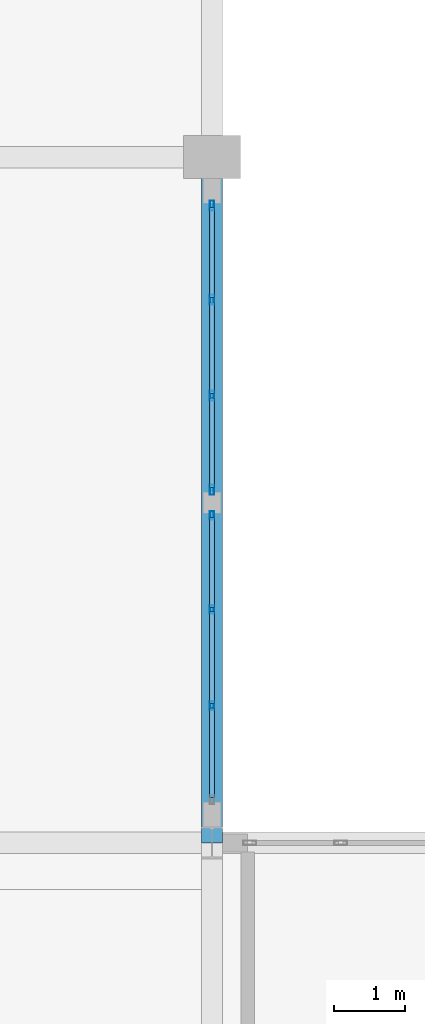
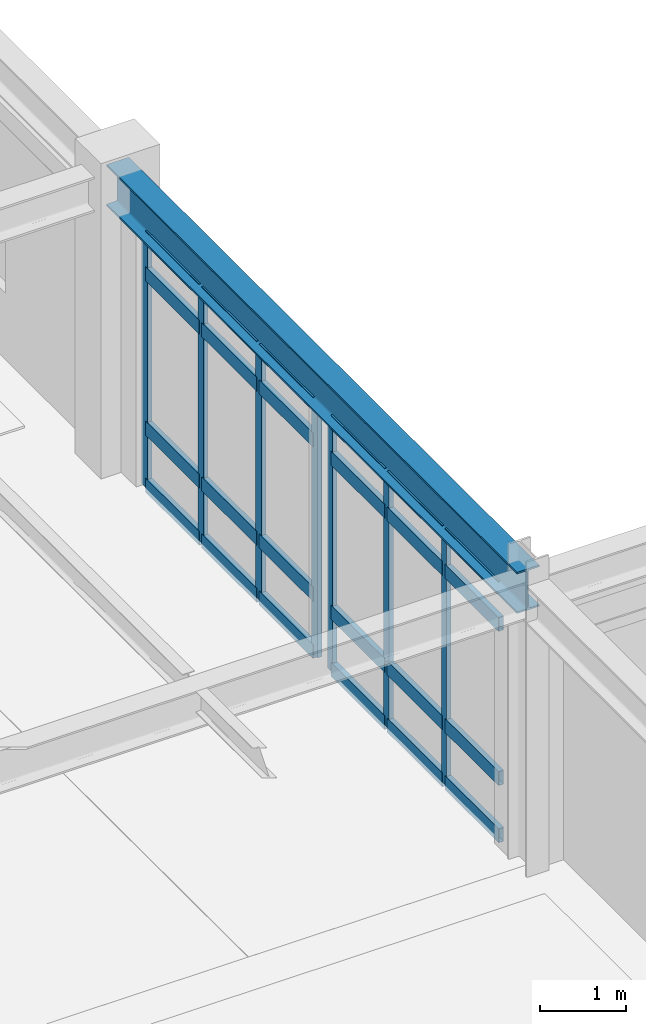
# One storey, part 30 of 61: 31 members, 1 beam, 2 elements without a shape of their own.
"""IFC4 building model written with IfcOpenShell, lengths in metres."""

import ifcopenshell
import ifcopenshell.guid

model = None  # the IFC model being written
_history = None  # IfcOwnerHistory: only IFC2X3 demands one
_inside = {}  # id of a spatial element -> (the spatial element, [elements in it])
_under = {}  # id of a project, library or spatial element -> (it, [spatial elements below it])
_declared = {}  # id of a project -> (the project, [libraries it declares])
_typed = {}  # id of a type object -> (the type object, [elements of that type])
_made_of = {}  # id of a material, layer set ... -> (it, [elements and type objects made of it])


def new_model(schema):
    """Start an empty IFC model of exactly this schema.

    Asked for "IFC4X3", IfcOpenShell would pick the latest addendum, in which some entities
    have other attributes; the version numbers below select the first issue.
    IFC2X3 requires an IfcOwnerHistory on every rooted entity: one is made here for all.
    """
    global model, _history
    if schema == "IFC4X3":
        model = ifcopenshell.file(schema_version=(4, 3, 0, 0))
    else:
        model = ifcopenshell.file(schema=schema)
    _inside.clear()
    _under.clear()
    _declared.clear()
    _typed.clear()
    _made_of.clear()
    _history = None
    if model.schema == "IFC2X3":
        org = make("IfcOrganization", Name="unknown")
        user = make(
            "IfcPersonAndOrganization",
            ThePerson=make("IfcPerson", FamilyName="unknown"),
            TheOrganization=org,
        )
        app = make(
            "IfcApplication",
            ApplicationDeveloper=org,
            Version="unknown",
            ApplicationFullName="unknown",
            ApplicationIdentifier="unknown",
        )
        _history = make(
            "IfcOwnerHistory",
            OwningUser=user,
            OwningApplication=app,
            ChangeAction="ADDED",
            CreationDate=0,
        )
    return model


def make(cls, **values):
    """One entity of the class cls with the attributes given. An attribute that is None is left unset."""
    return model.create_entity(
        cls, **{name: value for name, value in values.items() if value is not None}
    )


def rooted(cls, **values):
    """An entity with a GlobalId (a new one), such as an element, a storey or a relation."""
    return make(cls, GlobalId=ifcopenshell.guid.new(), OwnerHistory=_history, **values)


def si_unit(unit_type, name, prefix=None):
    """IfcSIUnit, for example si_unit("LENGTHUNIT", "METRE", prefix="MILLI")."""
    return make("IfcSIUnit", UnitType=unit_type, Prefix=prefix, Name=name)


def assignment(units):
    """IfcUnitAssignment: the units of a project."""
    return None if units is None else make("IfcUnitAssignment", Units=units)


def point(xyz):
    """IfcCartesianPoint."""
    return None if xyz is None else make("IfcCartesianPoint", Coordinates=xyz)


def direction(xyz):
    """IfcDirection."""
    return None if xyz is None else make("IfcDirection", DirectionRatios=xyz)


def frame(location, z_axis=None, x_axis=None):
    """IfcAxis2Placement3D, a coordinate frame: its origin and axes. An axis left out is left unset."""
    return make(
        "IfcAxis2Placement3D",
        Location=point(location),
        Axis=direction(z_axis),
        RefDirection=direction(x_axis),
    )


def frame_2d(location, x_axis=None):
    """IfcAxis2Placement2D, a coordinate frame in the plane: its origin and x axis."""
    return make(
        "IfcAxis2Placement2D", Location=point(location), RefDirection=direction(x_axis)
    )


def origin():
    """The frame at (0, 0, 0) with its axes left unset."""
    return frame((0.0, 0.0, 0.0))


def origin_2d():
    """The frame at (0, 0) in the plane with its x axis left unset."""
    return frame_2d((0.0, 0.0))


def place(relative_to, where):
    """IfcLocalPlacement: puts the frame where relative to a parent placement (None: the world)."""
    return make(
        "IfcLocalPlacement", PlacementRelTo=relative_to, RelativePlacement=where
    )


def context(
    kind, dimensions, precision=None, world=None, true_north=None, identifier=None
):
    """IfcGeometricRepresentationContext, for example the 3D "Model" context."""
    return make(
        "IfcGeometricRepresentationContext",
        ContextIdentifier=identifier,
        ContextType=kind,
        CoordinateSpaceDimension=dimensions,
        Precision=precision,
        WorldCoordinateSystem=world,
        TrueNorth=true_north,
    )


def subcontext(parent, identifier, kind, view, scale=None):
    """IfcGeometricRepresentationSubContext, for example "Body" below "Model"."""
    return make(
        "IfcGeometricRepresentationSubContext",
        ContextIdentifier=identifier,
        ContextType=kind,
        ParentContext=parent,
        TargetScale=scale,
        TargetView=view,
    )


def project(units=None, contexts=None):
    """IfcProject with its units and contexts."""
    return rooted(
        "IfcProject",
        Name="project",
        RepresentationContexts=contexts,
        UnitsInContext=assignment(units),
    )


def spatial(cls, under=None, at=None, **own):
    """A site, building, storey or space (cls), placed at a placement, below another one or the project."""
    s = rooted(cls, ObjectPlacement=at, **own)
    if under is not None:
        _under.setdefault(under.id(), (under, []))[1].append(s)
    return s


def profile(cls, at=None, kind="AREA", **sizes):
    """A parametric profile (cls). Its sizes go by their IFC names, for example OverallWidth=200.0."""
    return make(cls, ProfileType=kind, Position=at, **sizes)


def hollow_rectangle(**sizes):
    """IfcRectangleHollowProfileDef."""
    return profile("IfcRectangleHollowProfileDef", **sizes)


def i_section(**sizes):
    """IfcIShapeProfileDef."""
    return profile("IfcIShapeProfileDef", **sizes)


def extrude(swept, where, along, depth):
    """IfcExtrudedAreaSolid: the profile swept, set in the frame where, extruded along a direction by depth."""
    return make(
        "IfcExtrudedAreaSolid",
        SweptArea=swept,
        Position=where,
        ExtrudedDirection=direction(along),
        Depth=depth,
    )


def shape(context_of_items, identifier, shape_type, items):
    """IfcShapeRepresentation: the items that make up one representation, for example the "Body"."""
    return make(
        "IfcShapeRepresentation",
        ContextOfItems=context_of_items,
        RepresentationIdentifier=identifier,
        RepresentationType=shape_type,
        Items=items,
    )


def material(Name=None, Category=None):
    """IfcMaterial."""
    return make("IfcMaterial", Name=Name, Category=Category)


def layer(
    of_material, thickness, ventilated=None, Name=None, Category=None, Priority=None
):
    """IfcMaterialLayer: one layer of a wall or slab, of a material (None: an air gap)."""
    return make(
        "IfcMaterialLayer",
        Material=of_material,
        LayerThickness=thickness,
        IsVentilated=ventilated,
        Name=Name,
        Category=Category,
        Priority=Priority,
    )


def layer_set(layers, Name=None):
    """IfcMaterialLayerSet."""
    return make("IfcMaterialLayerSet", MaterialLayers=layers, LayerSetName=Name)


def material_profile(
    of_material, cross_section, Name=None, Category=None, Priority=None
):
    """IfcMaterialProfile: a cross section and its material."""
    return make(
        "IfcMaterialProfile",
        Name=Name,
        Material=of_material,
        Profile=cross_section,
        Priority=Priority,
        Category=Category,
    )


def profile_set(profiles, Name=None, composite=None):
    """IfcMaterialProfileSet."""
    return make(
        "IfcMaterialProfileSet",
        Name=Name,
        MaterialProfiles=profiles,
        CompositeProfile=composite,
    )


def made_of(thing, what):
    """Note that an element or type object is made of a material, layer set ...; save() writes the relation."""
    if what is not None:
        _made_of.setdefault(what.id(), (what, []))[1].append(thing)
    return thing


def type_object(cls, material=None, **own):
    """A type object (cls), such as IfcWallType, which elements share."""
    return made_of(rooted(cls, **own), material)


def element(
    cls,
    number,
    at=None,
    inside=None,
    cuts=None,
    type_object=None,
    material=None,
    context=None,
    identifier="Body",
    shape_type=None,
    held_by="IfcProductDefinitionShape",
    body=None,
    shapes=None,
    **own,
):
    """One element of the class cls, such as IfcWall. Its Tag is "e" and its number.

    at: its placement. inside: the storey or other place that contains it. cuts: it is an
    opening in that element (IfcRelVoidsElement). A single representation is given by context,
    identifier, shape_type and body (its items); several are given by shapes. held_by: the class
    of the entity that holds the representations. save() writes the other relations.
    """
    e = rooted(cls, Tag="e%d" % number, ObjectPlacement=at, **own)
    if body is not None:
        shapes = [shape(context, identifier, shape_type, body)]
    if shapes is not None:
        e.Representation = make(held_by, Representations=shapes)
    if inside is not None:
        _inside.setdefault(inside.id(), (inside, []))[1].append(e)
    if cuts is not None:
        rooted(
            "IfcRelVoidsElement", RelatingBuildingElement=cuts, RelatedOpeningElement=e
        )
    if type_object is not None:
        _typed.setdefault(type_object.id(), (type_object, []))[1].append(e)
    return made_of(e, material)


def aggregate(whole, parts):
    """IfcRelAggregates: a whole, such as a stair, and the parts it consists of."""
    return rooted("IfcRelAggregates", RelatingObject=whole, RelatedObjects=parts)


def save(model, path):
    """Write the relations noted so far, then the file.

    IfcRelAggregates (storeys below a building ...), IfcRelContainedInSpatialStructure (elements
    in a storey), IfcRelDefinesByType, IfcRelAssociatesMaterial and IfcRelDeclares: one each for
    every whole, place, type object, material and project.
    """
    for whole, parts in _under.values():
        aggregate(whole, parts)
    for where, things in _inside.values():
        rooted(
            "IfcRelContainedInSpatialStructure",
            RelatedElements=things,
            RelatingStructure=where,
        )
    for kind, things in _typed.values():
        rooted("IfcRelDefinesByType", RelatedObjects=things, RelatingType=kind)
    for what, things in _made_of.values():
        rooted("IfcRelAssociatesMaterial", RelatedObjects=things, RelatingMaterial=what)
    for by, libraries in _declared.values():
        rooted("IfcRelDeclares", RelatingContext=by, RelatedDefinitions=libraries)
    model.write(path)


model = new_model("IFC4")

# Units and contexts
model_context = context("Model", 3, precision=1e-05, world=origin(), true_north=direction((0.0, 1.0)))
body_context = subcontext(model_context, "Body", "Model", "MODEL_VIEW")
ifc_project = project(units=[si_unit("LENGTHUNIT", "METRE"), si_unit("AREAUNIT", "SQUARE_METRE"), si_unit("VOLUMEUNIT", "CUBIC_METRE"), si_unit("PLANEANGLEUNIT", "RADIAN"), si_unit("MASSUNIT", "GRAM", prefix="KILO")], contexts=[model_context])

# Site, building, storey
site_placement = place(None, origin())
site = spatial("IfcSite", under=ifc_project, at=site_placement, CompositionType="ELEMENT")
building_placement = place(site_placement, origin())
building = spatial("IfcBuilding", under=site, at=building_placement, Name="Fikremerkos Civic Library", CompositionType="ELEMENT")
storey_placement = place(building_placement, frame((0.0, 0.0, 14.39990234375)))
storey = spatial("IfcBuildingStorey", under=building, at=storey_placement, Name="L03", CompositionType="ELEMENT", Elevation=14.39990234375)

# Curtain wall, members
ifc_material_1 = material(Name="Anodized aluminium Frame", Category="aluminium")
ifc_layer_1 = layer(ifc_material_1, 0.159912109375, Name="Anodized aluminium Frame")
ifc_layer_set_1 = layer_set([ifc_layer_1], Name="Anodized aluminium Frame")
curtain_wall_type_1 = type_object("IfcCurtainWallType", Name="Unitised curtain wall CW-07 3500x4100", PredefinedType="USERDEFINED", material=ifc_layer_set_1)
curtain_wall_1_placement = place(storey_placement, origin())
curtain_wall_1 = element("IfcCurtainWall", 1, at=curtain_wall_1_placement, inside=storey, type_object=curtain_wall_type_1, Name="Unitised curtain wall CW-07 L03 #205", ObjectType="UNITISED CURTAIN WALL", PredefinedType="USERDEFINED")
ifc_material_profile_1 = material_profile(ifc_material_1, hollow_rectangle(XDim=0.06005859375, YDim=0.139892578125, WallThickness=0.00390625, at=origin_2d()), Name="ALU 140x60x4")
ifc_profile_set_1 = profile_set([ifc_material_profile_1], Name="Anodized aluminium Frame")
member_type_1 = type_object("IfcMemberType", Name="Curtain mullion CWM-03 ALU 140x60x4", PredefinedType="MULLION", material=ifc_profile_set_1)
member_1_placement = place(storey_placement, frame((100.199951171875, 40.1220703125, 0.0), z_axis=(0.0, 0.0, 1.0), x_axis=(1.0, 0.0, 0.0)))
member_1 = element("IfcMember", 2, at=member_1_placement, type_object=member_type_1, Name="CW-07 mullion 1", PredefinedType="MULLION", context=body_context, shape_type="SweptSolid", body=[
    extrude(hollow_rectangle(XDim=0.06005859375, YDim=0.139892578125, WallThickness=0.00390625, at=origin_2d()), origin(), (0.0, 0.0, 1.0), 3.60009765625),
])
member_2_placement = place(storey_placement, frame((100.199951171875, 38.805419921875, 0.0), z_axis=(0.0, 0.0, 1.0), x_axis=(1.0, 0.0, 0.0)))
member_2 = element("IfcMember", 3, at=member_2_placement, type_object=member_type_1, Name="CW-07 mullion 2", PredefinedType="MULLION", context=body_context, shape_type="SweptSolid", body=[
    extrude(hollow_rectangle(XDim=0.06005859375, YDim=0.139892578125, WallThickness=0.00390625, at=origin_2d()), origin(), (0.0, 0.0, 1.0), 3.60009765625),
])
member_3_placement = place(storey_placement, frame((100.199951171875, 37.458984375, 0.0), z_axis=(0.0, 0.0, 1.0), x_axis=(1.0, 0.0, 0.0)))
member_3 = element("IfcMember", 4, at=member_3_placement, type_object=member_type_1, Name="CW-07 mullion 3", PredefinedType="MULLION", context=body_context, shape_type="SweptSolid", body=[
    extrude(hollow_rectangle(XDim=0.06005859375, YDim=0.139892578125, WallThickness=0.00390625, at=origin_2d()), origin(), (0.0, 0.0, 1.0), 3.60009765625),
])
member_4_placement = place(storey_placement, frame((100.199951171875, 36.142578125, 0.0), z_axis=(0.0, 0.0, 1.0), x_axis=(1.0, 0.0, 0.0)))
member_4 = element("IfcMember", 5, at=member_4_placement, type_object=member_type_1, Name="CW-07 mullion 4", PredefinedType="MULLION", context=body_context, shape_type="SweptSolid", body=[
    extrude(hollow_rectangle(XDim=0.06005859375, YDim=0.139892578125, WallThickness=0.00390625, at=origin_2d()), origin(), (0.0, 0.0, 1.0), 3.60009765625),
])

ifc_layer_2 = layer(ifc_material_1, 0.159912109375, Name="Anodized aluminium Frame")
ifc_layer_set_2 = layer_set([ifc_layer_2], Name="Anodized aluminium Frame")
curtain_wall_type_2 = type_object("IfcCurtainWallType", Name="Unitised curtain wall CW-08 4500x4100", PredefinedType="USERDEFINED", material=ifc_layer_set_2)
curtain_wall_2_placement = place(storey_placement, origin())
curtain_wall_2 = element("IfcCurtainWall", 6, at=curtain_wall_2_placement, inside=storey, type_object=curtain_wall_type_2, Name="Unitised curtain wall CW-08 L03 #206", ObjectType="UNITISED CURTAIN WALL", PredefinedType="USERDEFINED")
ifc_material_profile_2 = material_profile(ifc_material_1, hollow_rectangle(XDim=0.06005859375, YDim=0.1201171875, WallThickness=0.00390625, at=origin_2d()), Name="ALU 120x60x4")
ifc_profile_set_2 = profile_set([ifc_material_profile_2], Name="Anodized aluminium Frame")
member_type_2 = type_object("IfcMemberType", Name="Curtain mullion CWM-04 ALU 120x60x4", PredefinedType="MULLION", material=ifc_profile_set_2)
member_5_placement = place(storey_placement, frame((100.199951171875, 35.782470703125, 0.0), z_axis=(0.0, 0.0, 1.0), x_axis=(1.0, 0.0, 0.0)))
member_5 = element("IfcMember", 7, at=member_5_placement, type_object=member_type_2, Name="CW-08 mullion 1", PredefinedType="MULLION", context=body_context, shape_type="SweptSolid", body=[
    extrude(hollow_rectangle(XDim=0.06005859375, YDim=0.1201171875, WallThickness=0.00390625, at=origin_2d()), origin(), (0.0, 0.0, 1.0), 3.60009765625),
])
member_6_placement = place(storey_placement, frame((100.199951171875, 34.466064453125, 0.0), z_axis=(0.0, 0.0, 1.0), x_axis=(1.0, 0.0, 0.0)))
member_6 = element("IfcMember", 8, at=member_6_placement, type_object=member_type_2, Name="CW-08 mullion 2", PredefinedType="MULLION", context=body_context, shape_type="SweptSolid", body=[
    extrude(hollow_rectangle(XDim=0.06005859375, YDim=0.1201171875, WallThickness=0.00390625, at=origin_2d()), origin(), (0.0, 0.0, 1.0), 3.60009765625),
])
member_7_placement = place(storey_placement, frame((100.199951171875, 33.119384765625, 0.0), z_axis=(0.0, 0.0, 1.0), x_axis=(1.0, 0.0, 0.0)))
member_7 = element("IfcMember", 9, at=member_7_placement, type_object=member_type_2, Name="CW-08 mullion 3", PredefinedType="MULLION", context=body_context, shape_type="SweptSolid", body=[
    extrude(hollow_rectangle(XDim=0.06005859375, YDim=0.1201171875, WallThickness=0.00390625, at=origin_2d()), origin(), (0.0, 0.0, 1.0), 3.60009765625),
])

# Member
ifc_material_profile_3 = material_profile(ifc_material_1, hollow_rectangle(XDim=0.070068359375, YDim=0.199951171875, WallThickness=0.0048828125, at=origin_2d()), Name="ALU 200x70x5")
ifc_profile_set_3 = profile_set([ifc_material_profile_3], Name="Anodized aluminium Frame")
member_type_3 = type_object("IfcMemberType", Name="Curtain transom CWT-04 ALU 200x70x5", PredefinedType="USERDEFINED", material=ifc_profile_set_3)
member_8_placement = place(storey_placement, frame((100.199951171875, 40.092041015625, 0.03515625), z_axis=(0.0, -1.0, 0.0), x_axis=(1.0, 0.0, 0.0)))
member_8 = element("IfcMember", 10, at=member_8_placement, type_object=member_type_3, Name="CW-07 transom 1.1", ObjectType="TRANSOM", PredefinedType="USERDEFINED", context=body_context, shape_type="SweptSolid", body=[
    extrude(hollow_rectangle(XDim=0.070068359375, YDim=0.199951171875, WallThickness=0.0048828125, at=origin_2d()), origin(), (0.0, 0.0, 1.0), 1.256591796875),
])

member_9_placement = place(storey_placement, frame((100.199951171875, 40.092041015625, 0.85009765625), z_axis=(0.0, -1.0, 0.0), x_axis=(1.0, 0.0, 0.0)))
member_9 = element("IfcMember", 11, at=member_9_placement, type_object=member_type_3, Name="CW-07 transom 1.2", ObjectType="TRANSOM", PredefinedType="USERDEFINED", context=body_context, shape_type="SweptSolid", body=[
    extrude(hollow_rectangle(XDim=0.070068359375, YDim=0.199951171875, WallThickness=0.0048828125, at=origin_2d()), origin(), (0.0, 0.0, 1.0), 1.256591796875),
])

member_10_placement = place(storey_placement, frame((100.199951171875, 40.092041015625, 3.050048828125), z_axis=(0.0, -1.0, 0.0), x_axis=(1.0, 0.0, 0.0)))
member_10 = element("IfcMember", 12, at=member_10_placement, type_object=member_type_3, Name="CW-07 transom 1.3", ObjectType="TRANSOM", PredefinedType="USERDEFINED", context=body_context, shape_type="SweptSolid", body=[
    extrude(hollow_rectangle(XDim=0.070068359375, YDim=0.199951171875, WallThickness=0.0048828125, at=origin_2d()), origin(), (0.0, 0.0, 1.0), 1.256591796875),
])

member_11_placement = place(storey_placement, frame((100.199951171875, 40.092041015625, 3.565185546875), z_axis=(0.0, -1.0, 0.0), x_axis=(1.0, 0.0, 0.0)))
member_11 = element("IfcMember", 13, at=member_11_placement, type_object=member_type_3, Name="CW-07 transom 1.4", ObjectType="TRANSOM", PredefinedType="USERDEFINED", context=body_context, shape_type="SweptSolid", body=[
    extrude(hollow_rectangle(XDim=0.070068359375, YDim=0.199951171875, WallThickness=0.0048828125, at=origin_2d()), origin(), (0.0, 0.0, 1.0), 1.256591796875),
])

member_12_placement = place(storey_placement, frame((100.199951171875, 38.775390625, 0.03515625), z_axis=(0.0, -1.0, 0.0), x_axis=(1.0, 0.0, 0.0)))
member_12 = element("IfcMember", 14, at=member_12_placement, type_object=member_type_3, Name="CW-07 transom 2.1", ObjectType="TRANSOM", PredefinedType="USERDEFINED", context=body_context, shape_type="SweptSolid", body=[
    extrude(hollow_rectangle(XDim=0.070068359375, YDim=0.199951171875, WallThickness=0.0048828125, at=origin_2d()), origin(), (0.0, 0.0, 1.0), 1.286376953125),
])

member_13_placement = place(storey_placement, frame((100.199951171875, 38.775390625, 0.85009765625), z_axis=(0.0, -1.0, 0.0), x_axis=(1.0, 0.0, 0.0)))
member_13 = element("IfcMember", 15, at=member_13_placement, type_object=member_type_3, Name="CW-07 transom 2.2", ObjectType="TRANSOM", PredefinedType="USERDEFINED", context=body_context, shape_type="SweptSolid", body=[
    extrude(hollow_rectangle(XDim=0.070068359375, YDim=0.199951171875, WallThickness=0.0048828125, at=origin_2d()), origin(), (0.0, 0.0, 1.0), 1.286376953125),
])

member_14_placement = place(storey_placement, frame((100.199951171875, 38.775390625, 3.050048828125), z_axis=(0.0, -1.0, 0.0), x_axis=(1.0, 0.0, 0.0)))
member_14 = element("IfcMember", 16, at=member_14_placement, type_object=member_type_3, Name="CW-07 transom 2.3", ObjectType="TRANSOM", PredefinedType="USERDEFINED", context=body_context, shape_type="SweptSolid", body=[
    extrude(hollow_rectangle(XDim=0.070068359375, YDim=0.199951171875, WallThickness=0.0048828125, at=origin_2d()), origin(), (0.0, 0.0, 1.0), 1.286376953125),
])

member_15_placement = place(storey_placement, frame((100.199951171875, 38.775390625, 3.565185546875), z_axis=(0.0, -1.0, 0.0), x_axis=(1.0, 0.0, 0.0)))
member_15 = element("IfcMember", 17, at=member_15_placement, type_object=member_type_3, Name="CW-07 transom 2.4", ObjectType="TRANSOM", PredefinedType="USERDEFINED", context=body_context, shape_type="SweptSolid", body=[
    extrude(hollow_rectangle(XDim=0.070068359375, YDim=0.199951171875, WallThickness=0.0048828125, at=origin_2d()), origin(), (0.0, 0.0, 1.0), 1.286376953125),
])

member_16_placement = place(storey_placement, frame((100.199951171875, 37.428955078125, 0.03515625), z_axis=(0.0, -1.0, 0.0), x_axis=(1.0, 0.0, 0.0)))
member_16 = element("IfcMember", 18, at=member_16_placement, type_object=member_type_3, Name="CW-07 transom 3.1", ObjectType="TRANSOM", PredefinedType="USERDEFINED", context=body_context, shape_type="SweptSolid", body=[
    extrude(hollow_rectangle(XDim=0.070068359375, YDim=0.199951171875, WallThickness=0.0048828125, at=origin_2d()), origin(), (0.0, 0.0, 1.0), 1.25634765625),
])

member_17_placement = place(storey_placement, frame((100.199951171875, 37.428955078125, 0.85009765625), z_axis=(0.0, -1.0, 0.0), x_axis=(1.0, 0.0, 0.0)))
member_17 = element("IfcMember", 19, at=member_17_placement, type_object=member_type_3, Name="CW-07 transom 3.2", ObjectType="TRANSOM", PredefinedType="USERDEFINED", context=body_context, shape_type="SweptSolid", body=[
    extrude(hollow_rectangle(XDim=0.070068359375, YDim=0.199951171875, WallThickness=0.0048828125, at=origin_2d()), origin(), (0.0, 0.0, 1.0), 1.25634765625),
])

member_18_placement = place(storey_placement, frame((100.199951171875, 37.428955078125, 3.050048828125), z_axis=(0.0, -1.0, 0.0), x_axis=(1.0, 0.0, 0.0)))
member_18 = element("IfcMember", 20, at=member_18_placement, type_object=member_type_3, Name="CW-07 transom 3.3", ObjectType="TRANSOM", PredefinedType="USERDEFINED", context=body_context, shape_type="SweptSolid", body=[
    extrude(hollow_rectangle(XDim=0.070068359375, YDim=0.199951171875, WallThickness=0.0048828125, at=origin_2d()), origin(), (0.0, 0.0, 1.0), 1.25634765625),
])

member_19_placement = place(storey_placement, frame((100.199951171875, 37.428955078125, 3.565185546875), z_axis=(0.0, -1.0, 0.0), x_axis=(1.0, 0.0, 0.0)))
member_19 = element("IfcMember", 21, at=member_19_placement, type_object=member_type_3, Name="CW-07 transom 3.4", ObjectType="TRANSOM", PredefinedType="USERDEFINED", context=body_context, shape_type="SweptSolid", body=[
    extrude(hollow_rectangle(XDim=0.070068359375, YDim=0.199951171875, WallThickness=0.0048828125, at=origin_2d()), origin(), (0.0, 0.0, 1.0), 1.25634765625),
])

aggregate(curtain_wall_1, [member_1, member_2, member_3, member_4, member_8, member_9, member_10, member_11, member_12, member_13, member_14, member_15, member_16, member_17, member_18, member_19])

member_20_placement = place(storey_placement, frame((100.199951171875, 35.75244140625, 0.03515625), z_axis=(0.0, -1.0, 0.0), x_axis=(1.0, 0.0, 0.0)))
member_20 = element("IfcMember", 22, at=member_20_placement, type_object=member_type_3, Name="CW-08 transom 1.1", ObjectType="TRANSOM", PredefinedType="USERDEFINED", context=body_context, shape_type="SweptSolid", body=[
    extrude(hollow_rectangle(XDim=0.070068359375, YDim=0.199951171875, WallThickness=0.0048828125, at=origin_2d()), origin(), (0.0, 0.0, 1.0), 1.25634765625),
])

member_21_placement = place(storey_placement, frame((100.199951171875, 35.75244140625, 0.85009765625), z_axis=(0.0, -1.0, 0.0), x_axis=(1.0, 0.0, 0.0)))
member_21 = element("IfcMember", 23, at=member_21_placement, type_object=member_type_3, Name="CW-08 transom 1.2", ObjectType="TRANSOM", PredefinedType="USERDEFINED", context=body_context, shape_type="SweptSolid", body=[
    extrude(hollow_rectangle(XDim=0.070068359375, YDim=0.199951171875, WallThickness=0.0048828125, at=origin_2d()), origin(), (0.0, 0.0, 1.0), 1.25634765625),
])

member_22_placement = place(storey_placement, frame((100.199951171875, 35.75244140625, 3.050048828125), z_axis=(0.0, -1.0, 0.0), x_axis=(1.0, 0.0, 0.0)))
member_22 = element("IfcMember", 24, at=member_22_placement, type_object=member_type_3, Name="CW-08 transom 1.3", ObjectType="TRANSOM", PredefinedType="USERDEFINED", context=body_context, shape_type="SweptSolid", body=[
    extrude(hollow_rectangle(XDim=0.070068359375, YDim=0.199951171875, WallThickness=0.0048828125, at=origin_2d()), origin(), (0.0, 0.0, 1.0), 1.25634765625),
])

member_23_placement = place(storey_placement, frame((100.199951171875, 35.75244140625, 3.565185546875), z_axis=(0.0, -1.0, 0.0), x_axis=(1.0, 0.0, 0.0)))
member_23 = element("IfcMember", 25, at=member_23_placement, type_object=member_type_3, Name="CW-08 transom 1.4", ObjectType="TRANSOM", PredefinedType="USERDEFINED", context=body_context, shape_type="SweptSolid", body=[
    extrude(hollow_rectangle(XDim=0.070068359375, YDim=0.199951171875, WallThickness=0.0048828125, at=origin_2d()), origin(), (0.0, 0.0, 1.0), 1.25634765625),
])

member_24_placement = place(storey_placement, frame((100.199951171875, 34.43603515625, 0.03515625), z_axis=(0.0, -1.0, 0.0), x_axis=(1.0, 0.0, 0.0)))
member_24 = element("IfcMember", 26, at=member_24_placement, type_object=member_type_3, Name="CW-08 transom 2.1", ObjectType="TRANSOM", PredefinedType="USERDEFINED", context=body_context, shape_type="SweptSolid", body=[
    extrude(hollow_rectangle(XDim=0.070068359375, YDim=0.199951171875, WallThickness=0.0048828125, at=origin_2d()), origin(), (0.0, 0.0, 1.0), 1.28662109375),
])

member_25_placement = place(storey_placement, frame((100.199951171875, 34.43603515625, 0.85009765625), z_axis=(0.0, -1.0, 0.0), x_axis=(1.0, 0.0, 0.0)))
member_25 = element("IfcMember", 27, at=member_25_placement, type_object=member_type_3, Name="CW-08 transom 2.2", ObjectType="TRANSOM", PredefinedType="USERDEFINED", context=body_context, shape_type="SweptSolid", body=[
    extrude(hollow_rectangle(XDim=0.070068359375, YDim=0.199951171875, WallThickness=0.0048828125, at=origin_2d()), origin(), (0.0, 0.0, 1.0), 1.28662109375),
])

member_26_placement = place(storey_placement, frame((100.199951171875, 34.43603515625, 3.050048828125), z_axis=(0.0, -1.0, 0.0), x_axis=(1.0, 0.0, 0.0)))
member_26 = element("IfcMember", 28, at=member_26_placement, type_object=member_type_3, Name="CW-08 transom 2.3", ObjectType="TRANSOM", PredefinedType="USERDEFINED", context=body_context, shape_type="SweptSolid", body=[
    extrude(hollow_rectangle(XDim=0.070068359375, YDim=0.199951171875, WallThickness=0.0048828125, at=origin_2d()), origin(), (0.0, 0.0, 1.0), 1.28662109375),
])

member_27_placement = place(storey_placement, frame((100.199951171875, 34.43603515625, 3.565185546875), z_axis=(0.0, -1.0, 0.0), x_axis=(1.0, 0.0, 0.0)))
member_27 = element("IfcMember", 29, at=member_27_placement, type_object=member_type_3, Name="CW-08 transom 2.4", ObjectType="TRANSOM", PredefinedType="USERDEFINED", context=body_context, shape_type="SweptSolid", body=[
    extrude(hollow_rectangle(XDim=0.070068359375, YDim=0.199951171875, WallThickness=0.0048828125, at=origin_2d()), origin(), (0.0, 0.0, 1.0), 1.28662109375),
])

member_28_placement = place(storey_placement, frame((100.199951171875, 33.089599609375, 0.03515625), z_axis=(0.0, -1.0, 0.0), x_axis=(1.0, 0.0, 0.0)))
member_28 = element("IfcMember", 30, at=member_28_placement, type_object=member_type_3, Name="CW-08 transom 3.1", ObjectType="TRANSOM", PredefinedType="USERDEFINED", context=body_context, shape_type="SweptSolid", body=[
    extrude(hollow_rectangle(XDim=0.070068359375, YDim=0.199951171875, WallThickness=0.0048828125, at=origin_2d()), origin(), (0.0, 0.0, 1.0), 1.256591796875),
])

member_29_placement = place(storey_placement, frame((100.199951171875, 33.089599609375, 0.85009765625), z_axis=(0.0, -1.0, 0.0), x_axis=(1.0, 0.0, 0.0)))
member_29 = element("IfcMember", 31, at=member_29_placement, type_object=member_type_3, Name="CW-08 transom 3.2", ObjectType="TRANSOM", PredefinedType="USERDEFINED", context=body_context, shape_type="SweptSolid", body=[
    extrude(hollow_rectangle(XDim=0.070068359375, YDim=0.199951171875, WallThickness=0.0048828125, at=origin_2d()), origin(), (0.0, 0.0, 1.0), 1.256591796875),
])

member_30_placement = place(storey_placement, frame((100.199951171875, 33.089599609375, 3.050048828125), z_axis=(0.0, -1.0, 0.0), x_axis=(1.0, 0.0, 0.0)))
member_30 = element("IfcMember", 32, at=member_30_placement, type_object=member_type_3, Name="CW-08 transom 3.3", ObjectType="TRANSOM", PredefinedType="USERDEFINED", context=body_context, shape_type="SweptSolid", body=[
    extrude(hollow_rectangle(XDim=0.070068359375, YDim=0.199951171875, WallThickness=0.0048828125, at=origin_2d()), origin(), (0.0, 0.0, 1.0), 1.256591796875),
])

member_31_placement = place(storey_placement, frame((100.199951171875, 33.089599609375, 3.565185546875), z_axis=(0.0, -1.0, 0.0), x_axis=(1.0, 0.0, 0.0)))
member_31 = element("IfcMember", 33, at=member_31_placement, type_object=member_type_3, Name="CW-08 transom 3.4", ObjectType="TRANSOM", PredefinedType="USERDEFINED", context=body_context, shape_type="SweptSolid", body=[
    extrude(hollow_rectangle(XDim=0.070068359375, YDim=0.199951171875, WallThickness=0.0048828125, at=origin_2d()), origin(), (0.0, 0.0, 1.0), 1.256591796875),
])

aggregate(curtain_wall_2, [member_5, member_6, member_7, member_20, member_21, member_22, member_23, member_24, member_25, member_26, member_27, member_28, member_29, member_30, member_31])

# Beam
ifc_material_2 = material(Name="Steel S355", Category="steel")
ifc_material_profile_4 = material_profile(ifc_material_2, i_section(OverallWidth=0.300048828125, OverallDepth=0.590087890625, WebThickness=0.012939453125, FlangeThickness=0.02490234375, FilletRadius=0.027099609375, at=origin_2d()), Name="HEA 600")
ifc_profile_set_4 = profile_set([ifc_material_profile_4], Name="Steel S355")
beam_type = type_object("IfcBeamType", Name="Primary girder BM-15 HEA 600", PredefinedType="BEAM", material=ifc_profile_set_4)
beam_placement = place(storey_placement, frame((100.199951171875, 31.199951171875, 3.925048828125), z_axis=(0.0, 1.0, 0.0), x_axis=(-1.0, 0.0, 0.0)))
element("IfcBeam", 34, at=beam_placement, inside=storey, type_object=beam_type, Name="Primary girder BM-15 L03 grid 9", PredefinedType="BEAM", context=body_context, shape_type="SweptSolid", body=[
    extrude(i_section(OverallWidth=0.300048828125, OverallDepth=0.590087890625, WebThickness=0.012939453125, FlangeThickness=0.02490234375, FilletRadius=0.027099609375, at=origin_2d()), origin(), (0.0, 0.0, 1.0), 9.60009765625),
])

save(model, "model.ifc")
